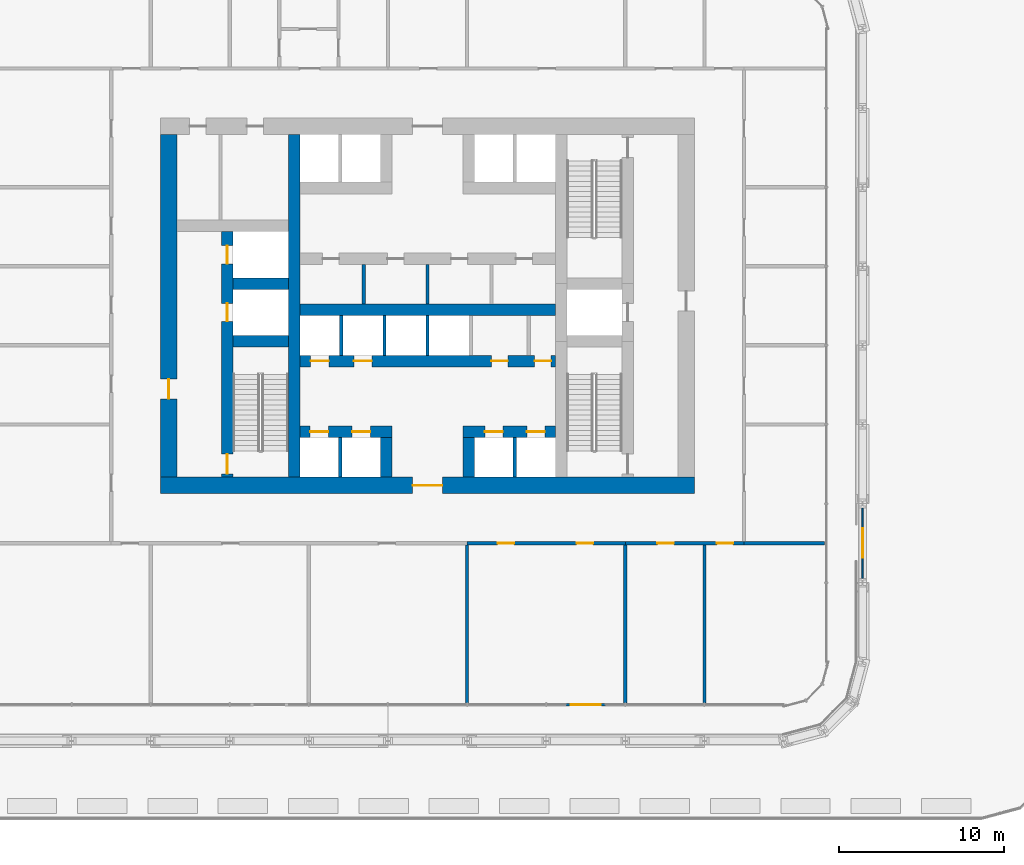
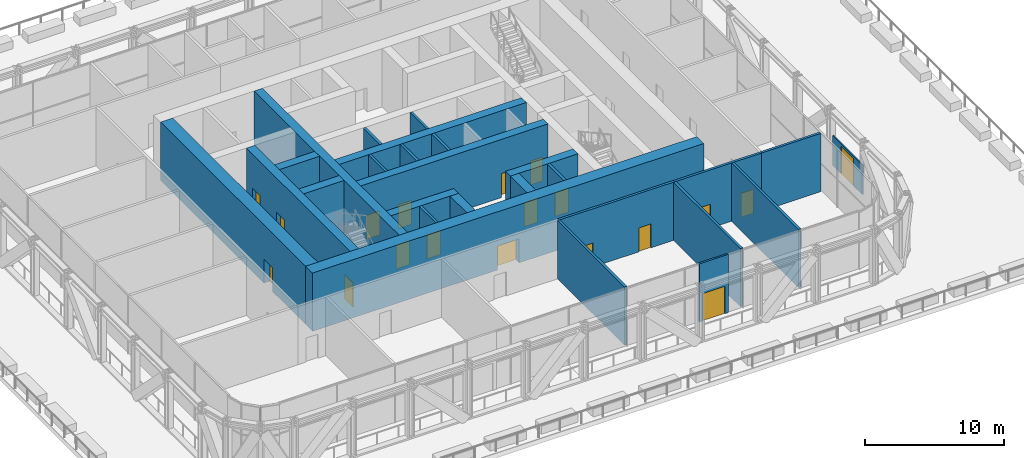
# One storey, part 14 of 22: 27 walls, 19 doors, 19 openings.
"""IFC4 building model written with IfcOpenShell, lengths in metres."""

from ifc_helpers import new_model, si_unit, direction, frame, frame_2d, origin, place, context, subcontext, project, spatial, rectangle, extrude, material, layer, layer_set, type_object, element, fill, save


model = new_model("IFC4")

# Units and contexts
model_context = context("Model", 3, precision=1e-05, world=origin(), true_north=direction((0.0, 1.0)))
body_context = subcontext(model_context, "Body", "Model", "MODEL_VIEW")
ifc_project = project(units=[si_unit("LENGTHUNIT", "METRE"), si_unit("AREAUNIT", "SQUARE_METRE"), si_unit("VOLUMEUNIT", "CUBIC_METRE"), si_unit("PLANEANGLEUNIT", "RADIAN"), si_unit("MASSUNIT", "GRAM", prefix="KILO")], contexts=[model_context])

# Site, building, storey
site_placement = place(None, origin())
site = spatial("IfcSite", under=ifc_project, at=site_placement, CompositionType="ELEMENT")
building_placement = place(site_placement, origin())
building = spatial("IfcBuilding", under=site, at=building_placement, Name="Madar Terraces", CompositionType="ELEMENT")
storey_placement = place(building_placement, frame((0.0, 0.0, 24.0)))
storey = spatial("IfcBuildingStorey", under=building, at=storey_placement, Name="L05", CompositionType="ELEMENT", Elevation=24.0)

# Wall, openings, doors
ifc_material_1 = material(Name="Concrete C80/95", Category="concrete")
ifc_layer_1 = layer(ifc_material_1, 0.699951171875)
ifc_layer_set_1 = layer_set([ifc_layer_1], Name="Concrete C80/95 (CIW1 RC wall 700)")
wall_type_1 = type_object("IfcWallType", Name="CIW1 RC wall 700", PredefinedType="SHEAR", material=ifc_layer_set_1)
wall_1_placement = place(storey_placement, frame((19.050048828125, 16.0, 0.0), z_axis=(0.0, 0.0, 1.0), x_axis=(0.0, 1.0, 0.0)))
wall_1 = element("IfcWall", 1, at=wall_1_placement, inside=storey, type_object=wall_type_1, Name="CORE SHAFT WALL", PredefinedType="SHEAR", context=body_context, shape_type="SweptSolid", body=[
    extrude(rectangle(XDim=14.89990234375, YDim=0.699951171875, at=frame_2d((7.449951171875, 0.0))), origin(), (0.0, 0.0, 1.0), 5.10009765625),
])
opening_1_placement = place(wall_1_placement, frame((9.449951171875, 0.0, 0.0)))
opening_1 = element("IfcOpeningElement", 2, at=opening_1_placement, cuts=wall_1, Name="Opening LD", PredefinedType="OPENING", context=body_context, shape_type="SweptSolid", body=[
    extrude(rectangle(XDim=1.10009765625, YDim=2.10009765625, at=frame_2d((0.550048828125, 1.050048828125))), frame((0.0, 0.35986328125, 0.0), z_axis=(0.0, -1.0, 0.0), x_axis=(1.0, 0.0, 0.0)), (0.0, 0.0, 1.0), 0.719970703125),
])
opening_2_placement = place(wall_1_placement, frame((12.949951171875, 0.0, 0.0)))
opening_2 = element("IfcOpeningElement", 3, at=opening_2_placement, cuts=wall_1, Name="Opening LD", PredefinedType="OPENING", context=body_context, shape_type="SweptSolid", body=[
    extrude(rectangle(XDim=1.10009765625, YDim=2.10009765625, at=frame_2d((0.550048828125, 1.050048828125))), frame((0.0, 0.35986328125, 0.0), z_axis=(0.0, -1.0, 0.0), x_axis=(1.0, 0.0, 0.0)), (0.0, 0.0, 1.0), 0.719970703125),
])
opening_3_placement = place(wall_1_placement, frame((0.199951171875, 0.0, 0.0)))
opening_3 = element("IfcOpeningElement", 4, at=opening_3_placement, cuts=wall_1, Name="Opening SD1", PredefinedType="OPENING", context=body_context, shape_type="SweptSolid", body=[
    extrude(rectangle(XDim=1.199951171875, YDim=2.10009765625, at=frame_2d((0.60009765625, 1.050048828125))), frame((0.0, 0.35986328125, 0.0), z_axis=(0.0, -1.0, 0.0), x_axis=(1.0, 0.0, 0.0)), (0.0, 0.0, 1.0), 0.719970703125),
])
ifc_material_2 = material(Name="Stainless steel panel", Category="steel")
door_type_1 = type_object("IfcDoorType", Name="Lift landing door 1100 x 2100", OperationType="DOUBLE_DOOR_SLIDING", PredefinedType="DOOR", material=ifc_material_2)
door_1_placement = place(opening_1_placement, origin())
door_1 = element("IfcDoor", 5, at=door_1_placement, inside=storey, type_object=door_type_1, Name="LIFT LANDING DOOR", OperationType="DOUBLE_DOOR_SLIDING", OverallHeight=2.10009765625, OverallWidth=1.10009765625, PredefinedType="DOOR", context=body_context, shape_type="SweptSolid", body=[
    extrude(rectangle(XDim=1.10009765625, YDim=2.10009765625, at=frame_2d((0.550048828125, 1.050048828125))), frame((0.0, 0.02490234375, 0.0), z_axis=(0.0, -1.0, 0.0), x_axis=(1.0, 0.0, 0.0)), (0.0, 0.0, 1.0), 0.050048828125),
])
fill(opening_1, door_1)
door_2_placement = place(opening_2_placement, origin())
door_2 = element("IfcDoor", 6, at=door_2_placement, inside=storey, type_object=door_type_1, Name="LIFT LANDING DOOR", OperationType="DOUBLE_DOOR_SLIDING", OverallHeight=2.10009765625, OverallWidth=1.10009765625, PredefinedType="DOOR", context=body_context, shape_type="SweptSolid", body=[
    extrude(rectangle(XDim=1.10009765625, YDim=2.10009765625, at=frame_2d((0.550048828125, 1.050048828125))), frame((0.0, 0.02490234375, 0.0), z_axis=(0.0, -1.0, 0.0), x_axis=(1.0, 0.0, 0.0)), (0.0, 0.0, 1.0), 0.050048828125),
])
fill(opening_2, door_2)
ifc_material_3 = material(Name="Steel door leaf", Category="steel")
door_type_2 = type_object("IfcDoorType", Name="Stair door 1200 x 2100", OperationType="NOTDEFINED", PredefinedType="DOOR", material=ifc_material_3)
door_3_placement = place(opening_3_placement, frame((1.199951171875, 0.0, 0.0), z_axis=(0.0, 0.0, 1.0), x_axis=(-1.0, 0.0, 0.0)))
door_3 = element("IfcDoor", 7, at=door_3_placement, inside=storey, type_object=door_type_2, Name="STAIR DOOR", OperationType="SINGLE_SWING_LEFT", OverallHeight=2.10009765625, OverallWidth=1.199951171875, PredefinedType="DOOR", context=body_context, shape_type="SweptSolid", body=[
    extrude(rectangle(XDim=1.199951171875, YDim=2.10009765625, at=frame_2d((0.60009765625, 1.050048828125))), frame((0.0, 0.02490234375, 0.0), z_axis=(0.0, -1.0, 0.0), x_axis=(1.0, 0.0, 0.0)), (0.0, 0.0, 1.0), 0.050048828125),
])
fill(opening_3, door_3)

# Walls
wall_2_placement = place(storey_placement, frame((23.10009765625, 16.0, 0.0), z_axis=(0.0, 0.0, 1.0), x_axis=(0.0, 1.0, 0.0)))
element("IfcWall", 8, at=wall_2_placement, inside=storey, type_object=wall_type_1, Name="CORE SHAFT WALL", PredefinedType="SHEAR", context=body_context, shape_type="SweptSolid", body=[
    extrude(rectangle(XDim=20.800048828125, YDim=0.699951171875, at=frame_2d((10.39990234375, 0.0))), origin(), (0.0, 0.0, 1.0), 5.10009765625),
])
for number, where, z_axis, x_axis, name in (
    (9, (19.39990234375, 24.25, 0.0), (0.0, 0.0, 1.0), (1.0, 0.0, 0.0), "CORE SHAFT WALL"),
    (10, (19.39990234375, 27.75, 0.0), (0.0, 0.0, 1.0), (1.0, 0.0, 0.0), "CORE SHAFT WALL"),
):
    element("IfcWall", number, at=place(storey_placement, frame(where, z_axis=z_axis, x_axis=x_axis)), inside=storey, type_object=wall_type_1, Name=name, PredefinedType="SHEAR", context=body_context, shape_type="SweptSolid", body=[
        extrude(rectangle(XDim=3.35009765625, YDim=0.699951171875, at=frame_2d((1.675048828125, 0.0))), origin(), (0.0, 0.0, 1.0), 5.10009765625),
    ])

# Wall, openings, doors
wall_3_placement = place(storey_placement, frame((23.449951171875, 18.75, 0.0), z_axis=(0.0, 0.0, 1.0), x_axis=(1.0, 0.0, 0.0)))
wall_3 = element("IfcWall", 11, at=wall_3_placement, inside=storey, type_object=wall_type_1, Name="CORE SHAFT WALL", PredefinedType="SHEAR", context=body_context, shape_type="SweptSolid", body=[
    extrude(rectangle(XDim=5.60009765625, YDim=0.699951171875, at=frame_2d((2.800048828125, 0.0))), origin(), (0.0, 0.0, 1.0), 5.10009765625),
])
opening_4_placement = place(wall_3_placement, frame((0.625, 0.0, 0.0)))
opening_4 = element("IfcOpeningElement", 12, at=opening_4_placement, cuts=wall_3, Name="Opening LD", PredefinedType="OPENING", context=body_context, shape_type="SweptSolid", body=[
    extrude(rectangle(XDim=1.10009765625, YDim=2.10009765625, at=frame_2d((0.550048828125, 1.050048828125))), frame((0.0, 0.35986328125, 0.0), z_axis=(0.0, -1.0, 0.0), x_axis=(1.0, 0.0, 0.0)), (0.0, 0.0, 1.0), 0.719970703125),
])
opening_5_placement = place(wall_3_placement, frame((3.175048828125, 0.0, 0.0)))
opening_5 = element("IfcOpeningElement", 13, at=opening_5_placement, cuts=wall_3, Name="Opening LD", PredefinedType="OPENING", context=body_context, shape_type="SweptSolid", body=[
    extrude(rectangle(XDim=1.10009765625, YDim=2.10009765625, at=frame_2d((0.550048828125, 1.050048828125))), frame((0.0, 0.35986328125, 0.0), z_axis=(0.0, -1.0, 0.0), x_axis=(1.0, 0.0, 0.0)), (0.0, 0.0, 1.0), 0.719970703125),
])
door_4_placement = place(opening_4_placement, origin())
door_4 = element("IfcDoor", 14, at=door_4_placement, inside=storey, type_object=door_type_1, Name="LIFT LANDING DOOR", OperationType="DOUBLE_DOOR_SLIDING", OverallHeight=2.10009765625, OverallWidth=1.10009765625, PredefinedType="DOOR", context=body_context, shape_type="SweptSolid", body=[
    extrude(rectangle(XDim=1.10009765625, YDim=2.10009765625, at=frame_2d((0.550048828125, 1.050048828125))), frame((0.0, 0.02490234375, 0.0), z_axis=(0.0, -1.0, 0.0), x_axis=(1.0, 0.0, 0.0)), (0.0, 0.0, 1.0), 0.050048828125),
])
fill(opening_4, door_4)
door_5_placement = place(opening_5_placement, origin())
door_5 = element("IfcDoor", 15, at=door_5_placement, inside=storey, type_object=door_type_1, Name="LIFT LANDING DOOR", OperationType="DOUBLE_DOOR_SLIDING", OverallHeight=2.10009765625, OverallWidth=1.10009765625, PredefinedType="DOOR", context=body_context, shape_type="SweptSolid", body=[
    extrude(rectangle(XDim=1.10009765625, YDim=2.10009765625, at=frame_2d((0.550048828125, 1.050048828125))), frame((0.0, 0.02490234375, 0.0), z_axis=(0.0, -1.0, 0.0), x_axis=(1.0, 0.0, 0.0)), (0.0, 0.0, 1.0), 0.050048828125),
])
fill(opening_5, door_5)

wall_4_placement = place(storey_placement, frame((33.35009765625, 18.75, 0.0), z_axis=(0.0, 0.0, 1.0), x_axis=(1.0, 0.0, 0.0)))
wall_4 = element("IfcWall", 16, at=wall_4_placement, inside=storey, type_object=wall_type_1, Name="CORE SHAFT WALL", PredefinedType="SHEAR", context=body_context, shape_type="SweptSolid", body=[
    extrude(rectangle(XDim=5.599853515625, YDim=0.699951171875, at=frame_2d((2.7998046875, 0.0))), origin(), (0.0, 0.0, 1.0), 5.10009765625),
])
opening_6_placement = place(wall_4_placement, frame((1.324951171875, 0.0, 0.0)))
opening_6 = element("IfcOpeningElement", 17, at=opening_6_placement, cuts=wall_4, Name="Opening LD", PredefinedType="OPENING", context=body_context, shape_type="SweptSolid", body=[
    extrude(rectangle(XDim=1.10009765625, YDim=2.10009765625, at=frame_2d((0.550048828125, 1.050048828125))), frame((0.0, 0.35986328125, 0.0), z_axis=(0.0, -1.0, 0.0), x_axis=(1.0, 0.0, 0.0)), (0.0, 0.0, 1.0), 0.719970703125),
])
opening_7_placement = place(wall_4_placement, frame((3.875, 0.0, 0.0)))
opening_7 = element("IfcOpeningElement", 18, at=opening_7_placement, cuts=wall_4, Name="Opening LD", PredefinedType="OPENING", context=body_context, shape_type="SweptSolid", body=[
    extrude(rectangle(XDim=1.10009765625, YDim=2.10009765625, at=frame_2d((0.550048828125, 1.050048828125))), frame((0.0, 0.35986328125, 0.0), z_axis=(0.0, -1.0, 0.0), x_axis=(1.0, 0.0, 0.0)), (0.0, 0.0, 1.0), 0.719970703125),
])
door_6_placement = place(opening_6_placement, origin())
door_6 = element("IfcDoor", 19, at=door_6_placement, inside=storey, type_object=door_type_1, Name="LIFT LANDING DOOR", OperationType="DOUBLE_DOOR_SLIDING", OverallHeight=2.10009765625, OverallWidth=1.10009765625, PredefinedType="DOOR", context=body_context, shape_type="SweptSolid", body=[
    extrude(rectangle(XDim=1.10009765625, YDim=2.10009765625, at=frame_2d((0.550048828125, 1.050048828125))), frame((0.0, 0.02490234375, 0.0), z_axis=(0.0, -1.0, 0.0), x_axis=(1.0, 0.0, 0.0)), (0.0, 0.0, 1.0), 0.050048828125),
])
fill(opening_6, door_6)
door_7_placement = place(opening_7_placement, origin())
door_7 = element("IfcDoor", 20, at=door_7_placement, inside=storey, type_object=door_type_1, Name="LIFT LANDING DOOR", OperationType="DOUBLE_DOOR_SLIDING", OverallHeight=2.10009765625, OverallWidth=1.10009765625, PredefinedType="DOOR", context=body_context, shape_type="SweptSolid", body=[
    extrude(rectangle(XDim=1.10009765625, YDim=2.10009765625, at=frame_2d((0.550048828125, 1.050048828125))), frame((0.0, 0.02490234375, 0.0), z_axis=(0.0, -1.0, 0.0), x_axis=(1.0, 0.0, 0.0)), (0.0, 0.0, 1.0), 0.050048828125),
])
fill(opening_7, door_7)

wall_5_placement = place(storey_placement, frame((23.449951171875, 23.050048828125, 0.0), z_axis=(0.0, 0.0, 1.0), x_axis=(1.0, 0.0, 0.0)))
wall_5 = element("IfcWall", 21, at=wall_5_placement, inside=storey, type_object=wall_type_1, Name="CORE SHAFT WALL", PredefinedType="SHEAR", context=body_context, shape_type="SweptSolid", body=[
    extrude(rectangle(XDim=15.5, YDim=0.699951171875, at=frame_2d((7.75, 0.0))), origin(), (0.0, 0.0, 1.0), 5.10009765625),
])
opening_8_placement = place(wall_5_placement, frame((0.658447265625, 0.0, 0.0)))
opening_8 = element("IfcOpeningElement", 22, at=opening_8_placement, cuts=wall_5, Name="Opening LD", PredefinedType="OPENING", context=body_context, shape_type="SweptSolid", body=[
    extrude(rectangle(XDim=1.10009765625, YDim=2.10009765625, at=frame_2d((0.550048828125, 1.050048828125))), frame((0.0, 0.35986328125, 0.0), z_axis=(0.0, -1.0, 0.0), x_axis=(1.0, 0.0, 0.0)), (0.0, 0.0, 1.0), 0.719970703125),
])
opening_9_placement = place(wall_5_placement, frame((3.27490234375, 0.0, 0.0)))
opening_9 = element("IfcOpeningElement", 23, at=opening_9_placement, cuts=wall_5, Name="Opening LD", PredefinedType="OPENING", context=body_context, shape_type="SweptSolid", body=[
    extrude(rectangle(XDim=1.10009765625, YDim=2.10009765625, at=frame_2d((0.550048828125, 1.050048828125))), frame((0.0, 0.35986328125, 0.0), z_axis=(0.0, -1.0, 0.0), x_axis=(1.0, 0.0, 0.0)), (0.0, 0.0, 1.0), 0.719970703125),
])
opening_10_placement = place(wall_5_placement, frame((11.6279296875, 0.0, 0.0)))
opening_10 = element("IfcOpeningElement", 24, at=opening_10_placement, cuts=wall_5, Name="Opening KD2", PredefinedType="OPENING", context=body_context, shape_type="SweptSolid", body=[
    extrude(rectangle(XDim=1.0, YDim=2.10009765625, at=frame_2d((0.5, 1.050048828125))), frame((0.0, 0.35986328125, 0.0), z_axis=(0.0, -1.0, 0.0), x_axis=(1.0, 0.0, 0.0)), (0.0, 0.0, 1.0), 0.719970703125),
])
opening_11_placement = place(wall_5_placement, frame((14.24462890625, 0.0, 0.0)))
opening_11 = element("IfcOpeningElement", 25, at=opening_11_placement, cuts=wall_5, Name="Opening KD2", PredefinedType="OPENING", context=body_context, shape_type="SweptSolid", body=[
    extrude(rectangle(XDim=1.0, YDim=2.10009765625, at=frame_2d((0.5, 1.050048828125))), frame((0.0, 0.35986328125, 0.0), z_axis=(0.0, -1.0, 0.0), x_axis=(1.0, 0.0, 0.0)), (0.0, 0.0, 1.0), 0.719970703125),
])
door_8_placement = place(opening_8_placement, origin())
door_8 = element("IfcDoor", 26, at=door_8_placement, inside=storey, type_object=door_type_1, Name="LIFT LANDING DOOR", OperationType="DOUBLE_DOOR_SLIDING", OverallHeight=2.10009765625, OverallWidth=1.10009765625, PredefinedType="DOOR", context=body_context, shape_type="SweptSolid", body=[
    extrude(rectangle(XDim=1.10009765625, YDim=2.10009765625, at=frame_2d((0.550048828125, 1.050048828125))), frame((0.0, 0.02490234375, 0.0), z_axis=(0.0, -1.0, 0.0), x_axis=(1.0, 0.0, 0.0)), (0.0, 0.0, 1.0), 0.050048828125),
])
fill(opening_8, door_8)
door_9_placement = place(opening_9_placement, origin())
door_9 = element("IfcDoor", 27, at=door_9_placement, inside=storey, type_object=door_type_1, Name="LIFT LANDING DOOR", OperationType="DOUBLE_DOOR_SLIDING", OverallHeight=2.10009765625, OverallWidth=1.10009765625, PredefinedType="DOOR", context=body_context, shape_type="SweptSolid", body=[
    extrude(rectangle(XDim=1.10009765625, YDim=2.10009765625, at=frame_2d((0.550048828125, 1.050048828125))), frame((0.0, 0.02490234375, 0.0), z_axis=(0.0, -1.0, 0.0), x_axis=(1.0, 0.0, 0.0)), (0.0, 0.0, 1.0), 0.050048828125),
])
fill(opening_9, door_9)
ifc_material_4 = material(Name="Steel door leaf", Category="steel")
door_type_3 = type_object("IfcDoorType", Name="Service room door 1000 x 2100", OperationType="NOTDEFINED", PredefinedType="DOOR", material=ifc_material_4)
door_10_placement = place(opening_10_placement, frame((1.0, 0.0, 0.0), z_axis=(0.0, 0.0, 1.0), x_axis=(-1.0, 0.0, 0.0)))
door_10 = element("IfcDoor", 28, at=door_10_placement, inside=storey, type_object=door_type_3, Name="SERVICE ROOM DOOR", OperationType="SINGLE_SWING_RIGHT", OverallHeight=2.10009765625, OverallWidth=1.0, PredefinedType="DOOR", context=body_context, shape_type="SweptSolid", body=[
    extrude(rectangle(XDim=1.0, YDim=2.10009765625, at=frame_2d((0.5, 1.050048828125))), frame((0.0, 0.02490234375, 0.0), z_axis=(0.0, -1.0, 0.0), x_axis=(1.0, 0.0, 0.0)), (0.0, 0.0, 1.0), 0.050048828125),
])
fill(opening_10, door_10)
door_11_placement = place(opening_11_placement, frame((1.0, 0.0, 0.0), z_axis=(0.0, 0.0, 1.0), x_axis=(-1.0, 0.0, 0.0)))
door_11 = element("IfcDoor", 29, at=door_11_placement, inside=storey, type_object=door_type_3, Name="SERVICE ROOM DOOR", OperationType="SINGLE_SWING_LEFT", OverallHeight=2.10009765625, OverallWidth=1.0, PredefinedType="DOOR", context=body_context, shape_type="SweptSolid", body=[
    extrude(rectangle(XDim=1.0, YDim=2.10009765625, at=frame_2d((0.5, 1.050048828125))), frame((0.0, 0.02490234375, 0.0), z_axis=(0.0, -1.0, 0.0), x_axis=(1.0, 0.0, 0.0)), (0.0, 0.0, 1.0), 0.050048828125),
])
fill(opening_11, door_11)

# Walls
wall_6_placement = place(storey_placement, frame((23.449951171875, 26.14990234375, 0.0), z_axis=(0.0, 0.0, 1.0), x_axis=(1.0, 0.0, 0.0)))
element("IfcWall", 30, at=wall_6_placement, inside=storey, type_object=wall_type_1, Name="CORE SHAFT WALL", PredefinedType="SHEAR", context=body_context, shape_type="SweptSolid", body=[
    extrude(rectangle(XDim=15.5, YDim=0.699951171875, at=frame_2d((7.75, 0.0))), origin(), (0.0, 0.0, 1.0), 5.10009765625),
])
for number, where, z_axis, x_axis, name in (
    (31, (28.699951171875, 16.0, 0.0), (0.0, 0.0, 1.0), (0.0, 1.0, 0.0), "CORE SHAFT WALL"),
    (32, (33.699951171875, 16.0, 0.0), (0.0, 0.0, 1.0), (0.0, 1.0, 0.0), "CORE SHAFT WALL"),
):
    element("IfcWall", number, at=place(storey_placement, frame(where, z_axis=z_axis, x_axis=x_axis)), inside=storey, type_object=wall_type_1, Name=name, PredefinedType="SHEAR", context=body_context, shape_type="SweptSolid", body=[
        extrude(rectangle(XDim=2.39990234375, YDim=0.699951171875, at=frame_2d((1.199951171875, 0.0))), origin(), (0.0, 0.0, 1.0), 5.10009765625),
    ])

# Wall, opening, door
ifc_material_5 = material(Name="Concrete C80/95", Category="concrete")
ifc_layer_2 = layer(ifc_material_5, 1.0)
ifc_layer_set_2 = layer_set([ifc_layer_2], Name="Concrete C80/95 (CRW1 RC wall 1000)")
wall_type_2 = type_object("IfcWallType", Name="CRW1 RC wall 1000", PredefinedType="SHEAR", material=ifc_layer_set_2)
wall_7_placement = place(storey_placement, frame((15.0, 15.5, 0.0), z_axis=(0.0, 0.0, 1.0), x_axis=(1.0, 0.0, 0.0)))
wall_7 = element("IfcWall", 33, at=wall_7_placement, inside=storey, type_object=wall_type_2, Name="CORE OUTER WALL", PredefinedType="SHEAR", context=body_context, shape_type="SweptSolid", body=[
    extrude(rectangle(XDim=32.39990234375, YDim=1.0, at=frame_2d((16.199951171875, 0.0))), origin(), (0.0, 0.0, 1.0), 5.10009765625),
])
opening_12_placement = place(wall_7_placement, frame((15.300048828125, 0.0, 0.0)))
opening_12 = element("IfcOpeningElement", 34, at=opening_12_placement, cuts=wall_7, Name="Opening KD1", PredefinedType="OPENING", context=body_context, shape_type="SweptSolid", body=[
    extrude(rectangle(XDim=1.800048828125, YDim=2.10009765625, at=frame_2d((0.89990234375, 1.050048828125))), frame((0.0, 0.510009765625, 0.0), z_axis=(0.0, -1.0, 0.0), x_axis=(1.0, 0.0, 0.0)), (0.0, 0.0, 1.0), 1.02001953125),
])
ifc_material_6 = material(Name="Steel door leaf", Category="steel")
door_type_4 = type_object("IfcDoorType", Name="Lobby door pair 1800 x 2100", OperationType="DOUBLE_DOOR_SINGLE_SWING", PredefinedType="DOOR", material=ifc_material_6)
door_12_placement = place(opening_12_placement, frame((1.800048828125, 0.0, 0.0), z_axis=(0.0, 0.0, 1.0), x_axis=(-1.0, 0.0, 0.0)))
door_12 = element("IfcDoor", 35, at=door_12_placement, inside=storey, type_object=door_type_4, Name="LIFT LOBBY DOOR", OperationType="DOUBLE_DOOR_SINGLE_SWING", OverallHeight=2.10009765625, OverallWidth=1.800048828125, PredefinedType="DOOR", context=body_context, shape_type="SweptSolid", body=[
    extrude(rectangle(XDim=1.800048828125, YDim=2.10009765625, at=frame_2d((0.89990234375, 1.050048828125))), frame((0.0, 0.02490234375, 0.0), z_axis=(0.0, -1.0, 0.0), x_axis=(1.0, 0.0, 0.0)), (0.0, 0.0, 1.0), 0.050048828125),
])
fill(opening_12, door_12)

wall_8_placement = place(storey_placement, frame((15.5, 16.0, 0.0), z_axis=(0.0, 0.0, 1.0), x_axis=(0.0, 1.0, 0.0)))
wall_8 = element("IfcWall", 36, at=wall_8_placement, inside=storey, type_object=wall_type_2, Name="CORE OUTER WALL", PredefinedType="SHEAR", context=body_context, shape_type="SweptSolid", body=[
    extrude(rectangle(XDim=20.800048828125, YDim=1.0, at=frame_2d((10.39990234375, 0.0))), origin(), (0.0, 0.0, 1.0), 5.10009765625),
])
opening_13_placement = place(wall_8_placement, frame((4.760009765625, 0.0, 0.0)))
opening_13 = element("IfcOpeningElement", 37, at=opening_13_placement, cuts=wall_8, Name="Opening SD1", PredefinedType="OPENING", context=body_context, shape_type="SweptSolid", body=[
    extrude(rectangle(XDim=1.199951171875, YDim=2.10009765625, at=frame_2d((0.60009765625, 1.050048828125))), frame((0.0, 0.510009765625, 0.0), z_axis=(0.0, -1.0, 0.0), x_axis=(1.0, 0.0, 0.0)), (0.0, 0.0, 1.0), 1.02001953125),
])
door_13_placement = place(opening_13_placement, frame((1.199951171875, 0.0, 0.0), z_axis=(0.0, 0.0, 1.0), x_axis=(-1.0, 0.0, 0.0)))
door_13 = element("IfcDoor", 38, at=door_13_placement, inside=storey, type_object=door_type_2, Name="STAIR DOOR", OperationType="SINGLE_SWING_RIGHT", OverallHeight=2.10009765625, OverallWidth=1.199951171875, PredefinedType="DOOR", context=body_context, shape_type="SweptSolid", body=[
    extrude(rectangle(XDim=1.199951171875, YDim=2.10009765625, at=frame_2d((0.60009765625, 1.050048828125))), frame((0.0, 0.02490234375, 0.0), z_axis=(0.0, -1.0, 0.0), x_axis=(1.0, 0.0, 0.0)), (0.0, 0.0, 1.0), 0.050048828125),
])
fill(opening_13, door_13)

# Walls
ifc_material_7 = material(Name="Masonry blockwork", Category="masonry")
ifc_layer_3 = layer(ifc_material_7, 0.199951171875)
ifc_layer_set_3 = layer_set([ifc_layer_3], Name="Core partition 200 blockwork")
wall_type_3 = type_object("IfcWallType", Name="Core partition 200 blockwork", PredefinedType="PARTITIONING", material=ifc_layer_set_3)
for number, where, z_axis, x_axis, name in (
    (39, (27.324951171875, 26.5, 0.0), (0.0, 0.0, 1.0), (0.0, 1.0, 0.0), "SERVICE ROOM PARTITION"),
    (40, (31.199951171875, 26.5, 0.0), (0.0, 0.0, 1.0), (0.0, 1.0, 0.0), "SERVICE ROOM PARTITION"),
):
    element("IfcWall", number, at=place(storey_placement, frame(where, z_axis=z_axis, x_axis=x_axis)), inside=storey, type_object=wall_type_3, Name=name, PredefinedType="PARTITIONING", context=body_context, shape_type="SweptSolid", body=[
        extrude(rectangle(XDim=2.39990234375, YDim=0.199951171875, at=frame_2d((1.199951171875, 0.0))), origin(), (0.0, 0.0, 1.0), 5.10009765625),
    ])
ifc_material_8 = material(Name="Concrete C40/50", Category="concrete")
ifc_layer_4 = layer(ifc_material_8, 0.199951171875)
ifc_layer_set_4 = layer_set([ifc_layer_4], Name="Core shaft dividing wall 200 C40/50")
wall_type_4 = type_object("IfcWallType", Name="Core shaft dividing wall 200 C40/50", PredefinedType="SOLIDWALL", material=ifc_layer_set_4)
for number, where, z_axis, x_axis, name in (
    (41, (25.966552734375, 23.39990234375, 0.0), (0.0, 0.0, 1.0), (0.0, 1.0, 0.0), "SHAFT DIVIDING WALL"),
    (42, (28.583251953125, 23.39990234375, 0.0), (0.0, 0.0, 1.0), (0.0, 1.0, 0.0), "SHAFT DIVIDING WALL"),
    (43, (31.199951171875, 23.39990234375, 0.0), (0.0, 0.0, 1.0), (0.0, 1.0, 0.0), "SHAFT DIVIDING WALL"),
):
    element("IfcWall", number, at=place(storey_placement, frame(where, z_axis=z_axis, x_axis=x_axis)), inside=storey, type_object=wall_type_4, Name=name, PredefinedType="SOLIDWALL", context=body_context, shape_type="SweptSolid", body=[
        extrude(rectangle(XDim=2.400146484375, YDim=0.199951171875, at=frame_2d((1.2001953125, 0.0))), origin(), (0.0, 0.0, 1.0), 5.10009765625),
    ])
for number, where, z_axis, x_axis, name in (
    (44, (25.89990234375, 16.0, 0.0), (0.0, 0.0, 1.0), (0.0, 1.0, 0.0), "SHAFT DIVIDING WALL"),
    (45, (36.5, 16.0, 0.0), (0.0, 0.0, 1.0), (0.0, 1.0, 0.0), "SHAFT DIVIDING WALL"),
):
    element("IfcWall", number, at=place(storey_placement, frame(where, z_axis=z_axis, x_axis=x_axis)), inside=storey, type_object=wall_type_4, Name=name, PredefinedType="SOLIDWALL", context=body_context, shape_type="SweptSolid", body=[
        extrude(rectangle(XDim=2.39990234375, YDim=0.199951171875, at=frame_2d((1.199951171875, 0.0))), origin(), (0.0, 0.0, 1.0), 5.10009765625),
    ])

# Wall, opening, door
ifc_material_9 = material(Name="Aluminium composite panel, black, over insulated backing", Category="aluminium")
ifc_layer_5 = layer(ifc_material_9, 0.14990234375)
ifc_layer_set_5 = layer_set([ifc_layer_5], Name="Facade bay panel 150")
wall_type_5 = type_object("IfcWallType", Name="Facade bay panel 150", PredefinedType="SOLIDWALL", material=ifc_layer_set_5)
wall_9_placement = place(storey_placement, frame((39.60009765625, 2.199951171875, 0.0), z_axis=(0.0, 0.0, 1.0), x_axis=(1.0, 0.0, 0.0)))
wall_9 = element("IfcWall", 46, at=wall_9_placement, inside=storey, type_object=wall_type_5, Name="Facade bay panel", PredefinedType="SOLIDWALL", context=body_context, shape_type="SweptSolid", body=[
    extrude(rectangle(XDim=2.39990234375, YDim=0.14990234375, at=frame_2d((1.199951171875, 0.0))), origin(), (0.0, 0.0, 1.0), 5.10009765625),
])
opening_14_placement = place(wall_9_placement, frame((0.300048828125, 0.0, 0.0)))
opening_14 = element("IfcOpeningElement", 47, at=opening_14_placement, cuts=wall_9, Name="Opening ED1", PredefinedType="OPENING", context=body_context, shape_type="SweptSolid", body=[
    extrude(rectangle(XDim=1.800048828125, YDim=2.39990234375, at=frame_2d((0.89990234375, 1.199951171875))), frame((0.0, 0.0849609375, 0.0), z_axis=(0.0, -1.0, 0.0), x_axis=(1.0, 0.0, 0.0)), (0.0, 0.0, 1.0), 0.169921875),
])
ifc_material_10 = material(Name="Glass, clear, with black aluminium frame", Category="aluminium")
door_type_5 = type_object("IfcDoorType", Name="Balcony and terrace sliding door 1800 x 2400", OperationType="SLIDING_TO_LEFT", PredefinedType="DOOR", material=ifc_material_10)
door_14_placement = place(opening_14_placement, origin())
door_14 = element("IfcDoor", 48, at=door_14_placement, inside=storey, type_object=door_type_5, Name="Balcony door", OperationType="SLIDING_TO_RIGHT", OverallHeight=2.39990234375, OverallWidth=1.800048828125, PredefinedType="DOOR", context=body_context, shape_type="SweptSolid", body=[
    extrude(rectangle(XDim=1.800048828125, YDim=2.39990234375, at=frame_2d((0.89990234375, 1.199951171875))), frame((0.0, 0.02490234375, 0.0), z_axis=(0.0, -1.0, 0.0), x_axis=(1.0, 0.0, 0.0)), (0.0, 0.0, 1.0), 0.050048828125),
])
fill(opening_14, door_14)

# Wall
ifc_material_11 = material(Name="Gypsum board partition, fire-rated")
ifc_layer_6 = layer(ifc_material_11, 0.199951171875)
ifc_layer_set_6 = layer_set([ifc_layer_6], Name="Partition 200 EI 60")
wall_type_6 = type_object("IfcWallType", Name="Partition 200 EI 60", PredefinedType="PARTITIONING", material=ifc_layer_set_6)
wall_10_placement = place(storey_placement, frame((50.39990234375, 12.0, 0.0), z_axis=(0.0, 0.0, 1.0), x_axis=(1.0, 0.0, 0.0)))
element("IfcWall", 49, at=wall_10_placement, inside=storey, type_object=wall_type_6, Name="Wall RECEPTION / STAFF ROOM", PredefinedType="PARTITIONING", context=body_context, shape_type="SweptSolid", body=[
    extrude(rectangle(XDim=4.900146484375, YDim=0.199951171875, at=frame_2d((2.4501953125, 0.0))), origin(), (0.0, 0.0, 1.0), 5.10009765625),
])

# Wall, openings, doors
wall_11_placement = place(storey_placement, frame((33.60009765625, 12.0, 0.0), z_axis=(0.0, 0.0, 1.0), x_axis=(1.0, 0.0, 0.0)))
wall_11 = element("IfcWall", 50, at=wall_11_placement, inside=storey, type_object=wall_type_6, Name="Wall COMMUNITY HALL / RING CORRIDOR", PredefinedType="PARTITIONING", context=body_context, shape_type="SweptSolid", body=[
    extrude(rectangle(XDim=9.599853515625, YDim=0.199951171875, at=frame_2d((4.7998046875, 0.0))), origin(), (0.0, 0.0, 1.0), 5.10009765625),
])
opening_15_placement = place(wall_11_placement, frame((6.64990234375, 0.0, 0.0)))
opening_15 = element("IfcOpeningElement", 51, at=opening_15_placement, cuts=wall_11, Name="Opening D31", PredefinedType="OPENING", context=body_context, shape_type="SweptSolid", body=[
    extrude(rectangle(XDim=1.0, YDim=2.10009765625, at=frame_2d((0.5, 1.050048828125))), frame((0.0, 0.10986328125, 0.0), z_axis=(0.0, -1.0, 0.0), x_axis=(1.0, 0.0, 0.0)), (0.0, 0.0, 1.0), 0.219970703125),
])
opening_16_placement = place(wall_11_placement, frame((1.85009765625, 0.0, 0.0)))
opening_16 = element("IfcOpeningElement", 52, at=opening_16_placement, cuts=wall_11, Name="Opening D31", PredefinedType="OPENING", context=body_context, shape_type="SweptSolid", body=[
    extrude(rectangle(XDim=1.0, YDim=2.10009765625, at=frame_2d((0.5, 1.050048828125))), frame((0.0, 0.10986328125, 0.0), z_axis=(0.0, -1.0, 0.0), x_axis=(1.0, 0.0, 0.0)), (0.0, 0.0, 1.0), 0.219970703125),
])
ifc_material_12 = material(Name="Timber door leaf, fire-rated", Category="wood")
door_type_6 = type_object("IfcDoorType", Name="Podium door 1000 x 2100 FD30S", OperationType="NOTDEFINED", PredefinedType="DOOR", material=ifc_material_12)
door_15_placement = place(opening_15_placement, origin())
door_15 = element("IfcDoor", 53, at=door_15_placement, inside=storey, type_object=door_type_6, Name="Door COMMUNITY HALL / RING CORRIDOR", OperationType="SINGLE_SWING_RIGHT", OverallHeight=2.10009765625, OverallWidth=1.0, PredefinedType="DOOR", context=body_context, shape_type="SweptSolid", body=[
    extrude(rectangle(XDim=1.0, YDim=2.10009765625, at=frame_2d((0.5, 1.050048828125))), frame((0.0, 0.02490234375, 0.0), z_axis=(0.0, -1.0, 0.0), x_axis=(1.0, 0.0, 0.0)), (0.0, 0.0, 1.0), 0.050048828125),
])
fill(opening_15, door_15)
door_16_placement = place(opening_16_placement, origin())
door_16 = element("IfcDoor", 54, at=door_16_placement, inside=storey, type_object=door_type_6, Name="Door COMMUNITY HALL / RING CORRIDOR", OperationType="SINGLE_SWING_LEFT", OverallHeight=2.10009765625, OverallWidth=1.0, PredefinedType="DOOR", context=body_context, shape_type="SweptSolid", body=[
    extrude(rectangle(XDim=1.0, YDim=2.10009765625, at=frame_2d((0.5, 1.050048828125))), frame((0.0, 0.02490234375, 0.0), z_axis=(0.0, -1.0, 0.0), x_axis=(1.0, 0.0, 0.0)), (0.0, 0.0, 1.0), 0.050048828125),
])
fill(opening_16, door_16)

wall_12_placement = place(storey_placement, frame((50.39990234375, 12.0, 0.0), z_axis=(0.0, 0.0, 1.0), x_axis=(-1.0, 0.0, 0.0)))
wall_12 = element("IfcWall", 55, at=wall_12_placement, inside=storey, type_object=wall_type_6, Name="Wall RECEPTION + SEWING WORKSHOP", PredefinedType="PARTITIONING", context=body_context, shape_type="SweptSolid", body=[
    extrude(rectangle(XDim=7.199951171875, YDim=0.199951171875, at=frame_2d((3.60009765625, 0.0))), origin(), (0.0, 0.0, 1.0), 5.10009765625),
])
opening_17_placement = place(wall_12_placement, frame((4.25, 0.0, 0.0)))
opening_17 = element("IfcOpeningElement", 56, at=opening_17_placement, cuts=wall_12, Name="Opening D31", PredefinedType="OPENING", context=body_context, shape_type="SweptSolid", body=[
    extrude(rectangle(XDim=1.0, YDim=2.10009765625, at=frame_2d((0.5, 1.050048828125))), frame((0.0, 0.10986328125, 0.0), z_axis=(0.0, -1.0, 0.0), x_axis=(1.0, 0.0, 0.0)), (0.0, 0.0, 1.0), 0.219970703125),
])
opening_18_placement = place(wall_12_placement, frame((0.64990234375, 0.0, 0.0)))
opening_18 = element("IfcOpeningElement", 57, at=opening_18_placement, cuts=wall_12, Name="Opening D31", PredefinedType="OPENING", context=body_context, shape_type="SweptSolid", body=[
    extrude(rectangle(XDim=1.0, YDim=2.10009765625, at=frame_2d((0.5, 1.050048828125))), frame((0.0, 0.10986328125, 0.0), z_axis=(0.0, -1.0, 0.0), x_axis=(1.0, 0.0, 0.0)), (0.0, 0.0, 1.0), 0.219970703125),
])
door_17_placement = place(opening_17_placement, origin())
door_17 = element("IfcDoor", 58, at=door_17_placement, inside=storey, type_object=door_type_6, Name="Door SEWING WORKSHOP / RING CORRIDOR", OperationType="SINGLE_SWING_LEFT", OverallHeight=2.10009765625, OverallWidth=1.0, PredefinedType="DOOR", context=body_context, shape_type="SweptSolid", body=[
    extrude(rectangle(XDim=1.0, YDim=2.10009765625, at=frame_2d((0.5, 1.050048828125))), frame((0.0, 0.02490234375, 0.0), z_axis=(0.0, -1.0, 0.0), x_axis=(1.0, 0.0, 0.0)), (0.0, 0.0, 1.0), 0.050048828125),
])
fill(opening_17, door_17)
door_18_placement = place(opening_18_placement, origin())
door_18 = element("IfcDoor", 59, at=door_18_placement, inside=storey, type_object=door_type_6, Name="Door RECEPTION / RING CORRIDOR", OperationType="SINGLE_SWING_LEFT", OverallHeight=2.10009765625, OverallWidth=1.0, PredefinedType="DOOR", context=body_context, shape_type="SweptSolid", body=[
    extrude(rectangle(XDim=1.0, YDim=2.10009765625, at=frame_2d((0.5, 1.050048828125))), frame((0.0, 0.02490234375, 0.0), z_axis=(0.0, -1.0, 0.0), x_axis=(1.0, 0.0, 0.0)), (0.0, 0.0, 1.0), 0.050048828125),
])
fill(opening_18, door_18)

# Walls
for number, where, z_axis, x_axis, name in (
    (60, (33.60009765625, 2.300048828125, 0.0), (0.0, 0.0, 1.0), (0.0, 1.0, 0.0), "Wall KITCHEN / COMMUNITY HALL"),
    (61, (43.199951171875, 2.300048828125, 0.0), (0.0, 0.0, 1.0), (0.0, 1.0, 0.0), "Wall COMMUNITY HALL / SEWING WORKSHOP"),
    (62, (48.0, 2.300048828125, 0.0), (0.0, 0.0, 1.0), (0.0, 1.0, 0.0), "Wall SEWING WORKSHOP / RECEPTION"),
):
    element("IfcWall", number, at=place(storey_placement, frame(where, z_axis=z_axis, x_axis=x_axis)), inside=storey, type_object=wall_type_6, Name=name, PredefinedType="PARTITIONING", context=body_context, shape_type="SweptSolid", body=[
        extrude(rectangle(XDim=9.599853515625, YDim=0.199951171875, at=frame_2d((4.7998046875, 0.0))), origin(), (0.0, 0.0, 1.0), 5.10009765625),
    ])

# Wall, opening, door
ifc_material_13 = material(Name="Steel S355, powder-coated", Category="steel")
ifc_layer_7 = layer(ifc_material_13, 0.10009765625)
ifc_layer_set_7 = layer_set([ifc_layer_7], Name="Terrace gate frame 100")
wall_type_7 = type_object("IfcWallType", Name="Terrace gate frame 100", PredefinedType="SOLIDWALL", material=ifc_layer_set_7)
wall_13_placement = place(storey_placement, frame((57.60009765625, 14.134521484375, 0.179443359375), z_axis=(0.0, 0.0, 1.0), x_axis=(0.0, -1.0, 0.0)))
wall_13 = element("IfcWall", 63, at=wall_13_placement, inside=storey, type_object=wall_type_7, Name="Terrace gate frame", PredefinedType="SOLIDWALL", context=body_context, shape_type="SweptSolid", body=[
    extrude(rectangle(XDim=4.26904296875, YDim=0.10009765625, at=frame_2d((2.134521484375, 0.0))), origin(), (0.0, 0.0, 1.0), 2.60009765625),
])
opening_19_placement = place(wall_13_placement, frame((1.234619140625, 0.0, 0.0)))
opening_19 = element("IfcOpeningElement", 64, at=opening_19_placement, cuts=wall_13, Name="Opening ED9", PredefinedType="OPENING", context=body_context, shape_type="SweptSolid", body=[
    extrude(rectangle(XDim=1.800048828125, YDim=2.39990234375, at=frame_2d((0.89990234375, 1.199951171875))), frame((0.0, 0.06005859375, 0.0), z_axis=(0.0, -1.0, 0.0), x_axis=(1.0, 0.0, 0.0)), (0.0, 0.0, 1.0), 0.1201171875),
])
ifc_material_14 = material(Name="Steel, powder-coated, with safety glazing", Category="steel")
door_type_7 = type_object("IfcDoorType", Name="Terrace gate door 1800 x 2400", OperationType="NOTDEFINED", PredefinedType="DOOR", material=ifc_material_14)
door_19_placement = place(opening_19_placement, origin())
door_19 = element("IfcDoor", 65, at=door_19_placement, inside=storey, type_object=door_type_7, Name="Terrace gate", OperationType="DOUBLE_DOOR_SINGLE_SWING", OverallHeight=2.39990234375, OverallWidth=1.800048828125, PredefinedType="DOOR", context=body_context, shape_type="SweptSolid", body=[
    extrude(rectangle(XDim=1.800048828125, YDim=2.39990234375, at=frame_2d((0.89990234375, 1.199951171875))), frame((0.0, 0.02490234375, 0.0), z_axis=(0.0, -1.0, 0.0), x_axis=(1.0, 0.0, 0.0)), (0.0, 0.0, 1.0), 0.050048828125),
])
fill(opening_19, door_19)

save(model, "model.ifc")
